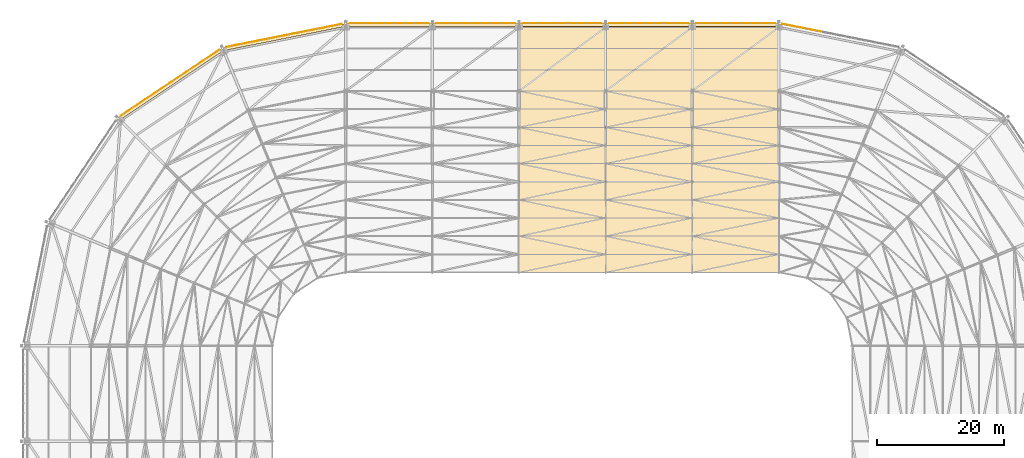
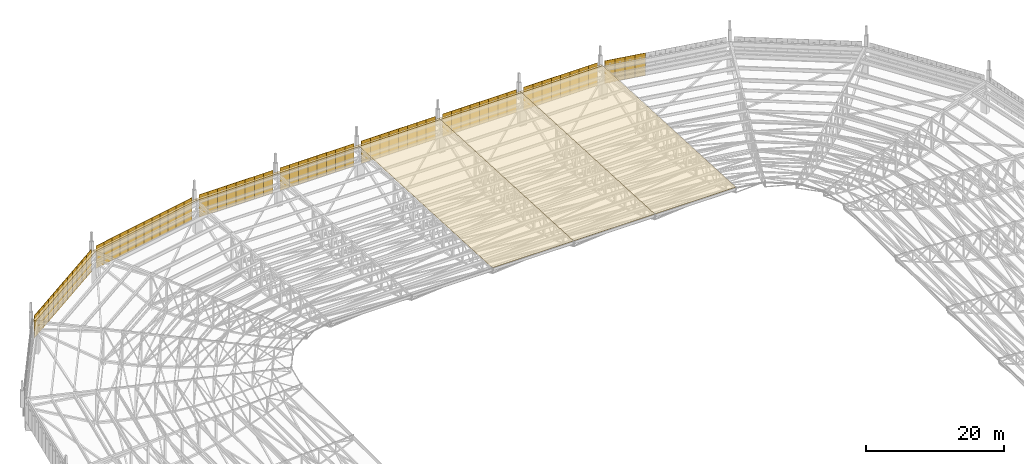
# One storey, part 277 of 278: 68 shading devices, 10 coverings.
"""IFC4 building model written with IfcOpenShell, lengths in metres."""

from ifc_helpers import new_model, si_unit, direction, frame, origin, origin_2d, place, context, subcontext, project, spatial, polyline, rectangle, outline, extrude, material, layer, layer_set, type_object, element, save


model = new_model("IFC4")

# Units and contexts
model_context = context("Model", 3, precision=1e-05, world=origin(), true_north=direction((0.0, 1.0)))
body_context = subcontext(model_context, "Body", "Model", "MODEL_VIEW")
ifc_project = project(units=[si_unit("LENGTHUNIT", "METRE"), si_unit("AREAUNIT", "SQUARE_METRE"), si_unit("VOLUMEUNIT", "CUBIC_METRE"), si_unit("PLANEANGLEUNIT", "RADIAN"), si_unit("MASSUNIT", "GRAM", prefix="KILO")], contexts=[model_context])

# Site, building, storey
site_placement = place(None, origin())
site = spatial("IfcSite", under=ifc_project, at=site_placement, CompositionType="ELEMENT")
building_placement = place(site_placement, origin())
building = spatial("IfcBuilding", under=site, at=building_placement, Name="Ogive Plaza Stadium", CompositionType="ELEMENT")
storey_placement = place(building_placement, frame((0.0, 0.0, 29.0)))
storey = spatial("IfcBuildingStorey", under=building, at=storey_placement, Name="Roof", CompositionType="ELEMENT", Elevation=29.0)

# Coverings
ifc_material_1 = material(Name="Titanium-zinc sheet", Category="metal")
ifc_layer_1 = layer(ifc_material_1, 0.010009765625)
ifc_layer_set_1 = layer_set([ifc_layer_1], Name="Eave box gutter")
covering_type_1 = type_object("IfcCoveringType", Name="Eave box gutter", PredefinedType="CLADDING", material=ifc_layer_set_1)
for number, where, z_axis, x_axis, name in (
    (1, (-61.452880859375, 93.5859375, 5.2001953125), (0.0, 0.0, 1.0), (0.831469612303, 0.55557023302, 0.0), "EAVE GUTTER B30"),
    (2, (-43.64013671875, 100.96435546875, 5.2001953125), (0.0, 0.0, 1.0), (0.980785280403, 0.195090322016, 0.0), "EAVE GUTTER B31"),
):
    element("IfcCovering", number, at=place(storey_placement, frame(where, z_axis=z_axis, x_axis=x_axis)), inside=storey, type_object=covering_type_1, Name=name, PredefinedType="CLADDING", context=body_context, shape_type="SweptSolid", body=[
        extrude(rectangle(XDim=19.568603515625, YDim=0.449951171875, at=origin_2d()), origin(), (0.0, 0.0, 1.0), 0.300048828125),
    ])
for number, where, z_axis, x_axis, name in (
    (3, (-27.199951171875, 102.87744140625, 5.2001953125), (0.0, 0.0, 1.0), (1.0, 0.0, 0.0), "EAVE GUTTER B32"),
    (4, (-13.60009765625, 102.87744140625, 5.2001953125), (0.0, 0.0, 1.0), (1.0, 0.0, 0.0), "EAVE GUTTER B33"),
    (5, (0.0, 102.87744140625, 5.2001953125), (0.0, 0.0, 1.0), (1.0, 0.0, 0.0), "EAVE GUTTER B34"),
    (6, (13.60009765625, 102.87744140625, 5.2001953125), (0.0, 0.0, 1.0), (1.0, 0.0, 0.0), "EAVE GUTTER B35"),
    (7, (27.199951171875, 102.87744140625, 5.2001953125), (0.0, 0.0, 1.0), (1.0, 0.0, 0.0), "EAVE GUTTER B36"),
):
    element("IfcCovering", number, at=place(storey_placement, frame(where, z_axis=z_axis, x_axis=x_axis)), inside=storey, type_object=covering_type_1, Name=name, PredefinedType="CLADDING", context=body_context, shape_type="SweptSolid", body=[
        extrude(rectangle(XDim=13.60009765625, YDim=0.449951171875, at=origin_2d()), origin(), (0.0, 0.0, 1.0), 0.300048828125),
    ])
ifc_material_2 = material(Name="PTFE-coated glass-fibre membrane", Category="glass")
ifc_layer_2 = layer(ifc_material_2, 0.050048828125)
ifc_layer_set_2 = layer_set([ifc_layer_2], Name="Roof membrane panel")
covering_type_2 = type_object("IfcCoveringType", Name="Roof membrane panel", PredefinedType="ROOFING", material=ifc_layer_set_2)
covering_1_placement = place(storey_placement, frame((-6.800048828125, 64.0, 7.47509765625), z_axis=(0.0, 0.049937616944, 0.998752338878), x_axis=(0.0, 0.998752338878, -0.049937616944)))
element("IfcCovering", 8, at=covering_1_placement, inside=storey, type_object=covering_type_2, Name="ROOF PANEL B34", PredefinedType="ROOFING", context=body_context, shape_type="SweptSolid", body=[
    extrude(outline(polyline([(0.0, 0.0), (38.7006290202315, 0.0), (38.7006290202315, -13.60009765625), (0.0, -13.60009765625), (0.0, 0.0)])), origin(), (0.0, 0.0, -1.0), 0.050048828125),
])
covering_2_placement = place(storey_placement, frame((6.800048828125, 64.0, 7.47509765625), z_axis=(0.0, 0.049937616944, 0.998752338878), x_axis=(0.0, 0.998752338878, -0.049937616944)))
element("IfcCovering", 9, at=covering_2_placement, inside=storey, type_object=covering_type_2, Name="ROOF PANEL B35", PredefinedType="ROOFING", context=body_context, shape_type="SweptSolid", body=[
    extrude(outline(polyline([(0.0, 0.0), (38.7006290202315, 0.0), (38.7006290202315, -13.599853515624998), (0.0, -13.599853515624998), (0.0, 0.0)])), origin(), (0.0, 0.0, -1.0), 0.050048828125),
])
covering_3_placement = place(storey_placement, frame((20.39990234375, 64.0, 7.47509765625), z_axis=(0.0, 0.049937616944, 0.998752338878), x_axis=(0.0, 0.998752338878, -0.049937616944)))
element("IfcCovering", 10, at=covering_3_placement, inside=storey, type_object=covering_type_2, Name="ROOF PANEL B36", PredefinedType="ROOFING", context=body_context, shape_type="SweptSolid", body=[
    extrude(outline(polyline([(0.0, 0.0), (38.7006290202315, 0.0), (38.7006290202315, -13.60009765625), (0.0, -13.60009765625), (0.0, 0.0)])), origin(), (0.0, 0.0, -1.0), 0.050048828125),
])

# Shading devices
ifc_material_3 = material(Name="Perforated bronze-anodised aluminium", Category="aluminium")
ifc_layer_3 = layer(ifc_material_3, 0.050048828125)
ifc_layer_set_3 = layer_set([ifc_layer_3], Name="Tracery screen panel")
shading_device_type = type_object("IfcShadingDeviceType", Name="Tracery screen panel", PredefinedType="SHUTTER", material=ifc_layer_set_3)
for number, where, z_axis, x_axis, name in (
    (11, (-68.68994140625, 89.051025390625, 2.0), (0.0, 0.0, 1.0), (0.831469612303, 0.55557023302, 0.0), "TRACERY SCREEN B30 1"),
    (12, (-67.399169921875, 89.913330078125, 2.0), (0.0, 0.0, 1.0), (0.831469612303, 0.55557023302, 0.0), "TRACERY SCREEN B30 2"),
    (13, (-66.108642578125, 90.775634765625, 2.0), (0.0, 0.0, 1.0), (0.831469612303, 0.55557023302, 0.0), "TRACERY SCREEN B30 3"),
    (14, (-64.818115234375, 91.637939453125, 2.0), (0.0, 0.0, 1.0), (0.831469612303, 0.55557023302, 0.0), "TRACERY SCREEN B30 4"),
    (15, (-63.527587890625, 92.50048828125, 2.0), (0.0, 0.0, 1.0), (0.831469612303, 0.55557023302, 0.0), "TRACERY SCREEN B30 5"),
    (16, (-62.237060546875, 93.36279296875, 2.0), (0.0, 0.0, 1.0), (0.831469612303, 0.55557023302, 0.0), "TRACERY SCREEN B30 6"),
    (17, (-60.9462890625, 94.22509765625, 2.0), (0.0, 0.0, 1.0), (0.831469612303, 0.55557023302, 0.0), "TRACERY SCREEN B30 7"),
    (18, (-59.65576171875, 95.08740234375, 2.0), (0.0, 0.0, 1.0), (0.831469612303, 0.55557023302, 0.0), "TRACERY SCREEN B30 8"),
    (19, (-58.365234375, 95.94970703125, 2.0), (0.0, 0.0, 1.0), (0.831469612303, 0.55557023302, 0.0), "TRACERY SCREEN B30 9"),
    (20, (-57.07470703125, 96.81201171875, 2.0), (0.0, 0.0, 1.0), (0.831469612303, 0.55557023302, 0.0), "TRACERY SCREEN B30 10"),
    (21, (-55.7841796875, 97.67431640625, 2.0), (0.0, 0.0, 1.0), (0.831469612303, 0.55557023302, 0.0), "TRACERY SCREEN B30 11"),
    (22, (-54.493408203125, 98.53662109375, 2.0), (0.0, 0.0, 1.0), (0.831469612303, 0.55557023302, 0.0), "TRACERY SCREEN B30 12"),
):
    element("IfcShadingDevice", number, at=place(storey_placement, frame(where, z_axis=z_axis, x_axis=x_axis)), inside=storey, type_object=shading_device_type, Name=name, PredefinedType="SHUTTER", context=body_context, shape_type="SweptSolid", body=[
        extrude(rectangle(XDim=1.55224609375, YDim=0.050048828125, at=origin_2d()), origin(), (0.0, 0.0, 1.0), 4.0),
    ])
for number, where, z_axis, x_axis, name in (
    (23, (-52.015869140625, 99.55322265625, 2.0), (0.0, 0.0, 1.0), (0.980785280403, 0.195090322016, 0.0), "TRACERY SCREEN B31 1"),
    (24, (-50.501953125, 99.854248046875, 2.0), (0.0, 0.0, 1.0), (0.980785280403, 0.195090322016, 0.0), "TRACERY SCREEN B31 2"),
    (25, (-48.988037109375, 100.155517578125, 2.0), (0.0, 0.0, 1.0), (0.980785280403, 0.195090322016, 0.0), "TRACERY SCREEN B31 3"),
    (26, (-47.473876953125, 100.45654296875, 2.0), (0.0, 0.0, 1.0), (0.980785280403, 0.195090322016, 0.0), "TRACERY SCREEN B31 4"),
    (27, (-45.9599609375, 100.7578125, 2.0), (0.0, 0.0, 1.0), (0.980785280403, 0.195090322016, 0.0), "TRACERY SCREEN B31 5"),
    (28, (-44.44580078125, 101.058837890625, 2.0), (0.0, 0.0, 1.0), (0.980785280403, 0.195090322016, 0.0), "TRACERY SCREEN B31 6"),
    (29, (-42.931884765625, 101.360107421875, 2.0), (0.0, 0.0, 1.0), (0.980785280403, 0.195090322016, 0.0), "TRACERY SCREEN B31 7"),
    (30, (-41.41796875, 101.6611328125, 2.0), (0.0, 0.0, 1.0), (0.980785280403, 0.195090322016, 0.0), "TRACERY SCREEN B31 8"),
    (31, (-39.90380859375, 101.96240234375, 2.0), (0.0, 0.0, 1.0), (0.980785280403, 0.195090322016, 0.0), "TRACERY SCREEN B31 9"),
    (32, (-38.389892578125, 102.263427734375, 2.0), (0.0, 0.0, 1.0), (0.980785280403, 0.195090322016, 0.0), "TRACERY SCREEN B31 10"),
    (33, (-36.8759765625, 102.564697265625, 2.0), (0.0, 0.0, 1.0), (0.980785280403, 0.195090322016, 0.0), "TRACERY SCREEN B31 11"),
    (34, (-35.36181640625, 102.86572265625, 2.0), (0.0, 0.0, 1.0), (0.980785280403, 0.195090322016, 0.0), "TRACERY SCREEN B31 12"),
):
    element("IfcShadingDevice", number, at=place(storey_placement, frame(where, z_axis=z_axis, x_axis=x_axis)), inside=storey, type_object=shading_device_type, Name=name, PredefinedType="SHUTTER", context=body_context, shape_type="SweptSolid", body=[
        extrude(rectangle(XDim=1.543701171875, YDim=0.050048828125, at=origin_2d()), origin(), (0.0, 0.0, 1.0), 4.0),
    ])
for number, where, z_axis, x_axis, name in (
    (35, (-32.625, 103.12744140625, 2.0), (0.0, 0.0, 1.0), (1.0, 0.0, 0.0), "TRACERY SCREEN B32 1"),
    (36, (-31.074951171875, 103.12744140625, 2.0), (0.0, 0.0, 1.0), (1.0, 0.0, 0.0), "TRACERY SCREEN B32 2"),
    (37, (-29.52490234375, 103.12744140625, 2.0), (0.0, 0.0, 1.0), (1.0, 0.0, 0.0), "TRACERY SCREEN B32 3"),
    (38, (-27.97509765625, 103.12744140625, 2.0), (0.0, 0.0, 1.0), (1.0, 0.0, 0.0), "TRACERY SCREEN B32 4"),
    (39, (-26.425048828125, 103.12744140625, 2.0), (0.0, 0.0, 1.0), (1.0, 0.0, 0.0), "TRACERY SCREEN B32 5"),
    (40, (-24.875, 103.12744140625, 2.0), (0.0, 0.0, 1.0), (1.0, 0.0, 0.0), "TRACERY SCREEN B32 6"),
    (41, (-23.324951171875, 103.12744140625, 2.0), (0.0, 0.0, 1.0), (1.0, 0.0, 0.0), "TRACERY SCREEN B32 7"),
    (42, (-21.77490234375, 103.12744140625, 2.0), (0.0, 0.0, 1.0), (1.0, 0.0, 0.0), "TRACERY SCREEN B32 8"),
    (43, (-19.02490234375, 103.12744140625, 2.0), (0.0, 0.0, 1.0), (1.0, 0.0, 0.0), "TRACERY SCREEN B33 1"),
    (44, (-17.47509765625, 103.12744140625, 2.0), (0.0, 0.0, 1.0), (1.0, 0.0, 0.0), "TRACERY SCREEN B33 2"),
    (45, (-15.925048828125, 103.12744140625, 2.0), (0.0, 0.0, 1.0), (1.0, 0.0, 0.0), "TRACERY SCREEN B33 3"),
    (46, (-14.375, 103.12744140625, 2.0), (0.0, 0.0, 1.0), (1.0, 0.0, 0.0), "TRACERY SCREEN B33 4"),
    (47, (-12.824951171875, 103.12744140625, 2.0), (0.0, 0.0, 1.0), (1.0, 0.0, 0.0), "TRACERY SCREEN B33 5"),
    (48, (-11.27490234375, 103.12744140625, 2.0), (0.0, 0.0, 1.0), (1.0, 0.0, 0.0), "TRACERY SCREEN B33 6"),
    (49, (-9.72509765625, 103.12744140625, 2.0), (0.0, 0.0, 1.0), (1.0, 0.0, 0.0), "TRACERY SCREEN B33 7"),
    (50, (-8.175048828125, 103.12744140625, 2.0), (0.0, 0.0, 1.0), (1.0, 0.0, 0.0), "TRACERY SCREEN B33 8"),
    (51, (-5.425048828125, 103.12744140625, 2.0), (0.0, 0.0, 1.0), (1.0, 0.0, 0.0), "TRACERY SCREEN B34 1"),
    (52, (-3.875, 103.12744140625, 2.0), (0.0, 0.0, 1.0), (1.0, 0.0, 0.0), "TRACERY SCREEN B34 2"),
    (53, (-2.324951171875, 103.12744140625, 2.0), (0.0, 0.0, 1.0), (1.0, 0.0, 0.0), "TRACERY SCREEN B34 3"),
    (54, (-0.77490234375, 103.12744140625, 2.0), (0.0, 0.0, 1.0), (1.0, 0.0, 0.0), "TRACERY SCREEN B34 4"),
    (55, (0.77490234375, 103.12744140625, 2.0), (0.0, 0.0, 1.0), (1.0, 0.0, 0.0), "TRACERY SCREEN B34 5"),
    (56, (2.324951171875, 103.12744140625, 2.0), (0.0, 0.0, 1.0), (1.0, 0.0, 0.0), "TRACERY SCREEN B34 6"),
    (57, (3.875, 103.12744140625, 2.0), (0.0, 0.0, 1.0), (1.0, 0.0, 0.0), "TRACERY SCREEN B34 7"),
    (58, (5.425048828125, 103.12744140625, 2.0), (0.0, 0.0, 1.0), (1.0, 0.0, 0.0), "TRACERY SCREEN B34 8"),
    (59, (8.175048828125, 103.12744140625, 2.0), (0.0, 0.0, 1.0), (1.0, 0.0, 0.0), "TRACERY SCREEN B35 1"),
    (60, (9.72509765625, 103.12744140625, 2.0), (0.0, 0.0, 1.0), (1.0, 0.0, 0.0), "TRACERY SCREEN B35 2"),
    (61, (11.27490234375, 103.12744140625, 2.0), (0.0, 0.0, 1.0), (1.0, 0.0, 0.0), "TRACERY SCREEN B35 3"),
    (62, (12.824951171875, 103.12744140625, 2.0), (0.0, 0.0, 1.0), (1.0, 0.0, 0.0), "TRACERY SCREEN B35 4"),
    (63, (14.375, 103.12744140625, 2.0), (0.0, 0.0, 1.0), (1.0, 0.0, 0.0), "TRACERY SCREEN B35 5"),
    (64, (15.925048828125, 103.12744140625, 2.0), (0.0, 0.0, 1.0), (1.0, 0.0, 0.0), "TRACERY SCREEN B35 6"),
    (65, (17.47509765625, 103.12744140625, 2.0), (0.0, 0.0, 1.0), (1.0, 0.0, 0.0), "TRACERY SCREEN B35 7"),
    (66, (19.02490234375, 103.12744140625, 2.0), (0.0, 0.0, 1.0), (1.0, 0.0, 0.0), "TRACERY SCREEN B35 8"),
    (67, (21.77490234375, 103.12744140625, 2.0), (0.0, 0.0, 1.0), (1.0, 0.0, 0.0), "TRACERY SCREEN B36 1"),
    (68, (23.324951171875, 103.12744140625, 2.0), (0.0, 0.0, 1.0), (1.0, 0.0, 0.0), "TRACERY SCREEN B36 2"),
    (69, (24.875, 103.12744140625, 2.0), (0.0, 0.0, 1.0), (1.0, 0.0, 0.0), "TRACERY SCREEN B36 3"),
    (70, (26.425048828125, 103.12744140625, 2.0), (0.0, 0.0, 1.0), (1.0, 0.0, 0.0), "TRACERY SCREEN B36 4"),
    (71, (27.97509765625, 103.12744140625, 2.0), (0.0, 0.0, 1.0), (1.0, 0.0, 0.0), "TRACERY SCREEN B36 5"),
    (72, (29.52490234375, 103.12744140625, 2.0), (0.0, 0.0, 1.0), (1.0, 0.0, 0.0), "TRACERY SCREEN B36 6"),
    (73, (31.074951171875, 103.12744140625, 2.0), (0.0, 0.0, 1.0), (1.0, 0.0, 0.0), "TRACERY SCREEN B36 7"),
    (74, (32.625, 103.12744140625, 2.0), (0.0, 0.0, 1.0), (1.0, 0.0, 0.0), "TRACERY SCREEN B36 8"),
):
    element("IfcShadingDevice", number, at=place(storey_placement, frame(where, z_axis=z_axis, x_axis=x_axis)), inside=storey, type_object=shading_device_type, Name=name, PredefinedType="SHUTTER", context=body_context, shape_type="SweptSolid", body=[
        extrude(rectangle(XDim=1.550048828125, YDim=0.050048828125, at=origin_2d()), origin(), (0.0, 0.0, 1.0), 4.0),
    ])
for number, where, z_axis, x_axis, name in (
    (75, (35.316162109375, 102.875, 2.0), (0.0, 0.0, 1.0), (0.980785280403, -0.195090322016, 0.0), "TRACERY SCREEN B37 1"),
    (76, (36.83837890625, 102.572021484375, 2.0), (0.0, 0.0, 1.0), (0.980785280403, -0.195090322016, 0.0), "TRACERY SCREEN B37 2"),
    (77, (38.36083984375, 102.269287109375, 2.0), (0.0, 0.0, 1.0), (0.980785280403, -0.195090322016, 0.0), "TRACERY SCREEN B37 3"),
    (78, (39.883056640625, 101.966552734375, 2.0), (0.0, 0.0, 1.0), (0.980785280403, -0.195090322016, 0.0), "TRACERY SCREEN B37 4"),
):
    element("IfcShadingDevice", number, at=place(storey_placement, frame(where, z_axis=z_axis, x_axis=x_axis)), inside=storey, type_object=shading_device_type, Name=name, PredefinedType="SHUTTER", context=body_context, shape_type="SweptSolid", body=[
        extrude(rectangle(XDim=1.55224609375, YDim=0.050048828125, at=origin_2d()), origin(), (0.0, 0.0, 1.0), 4.0),
    ])

save(model, "model.ifc")
